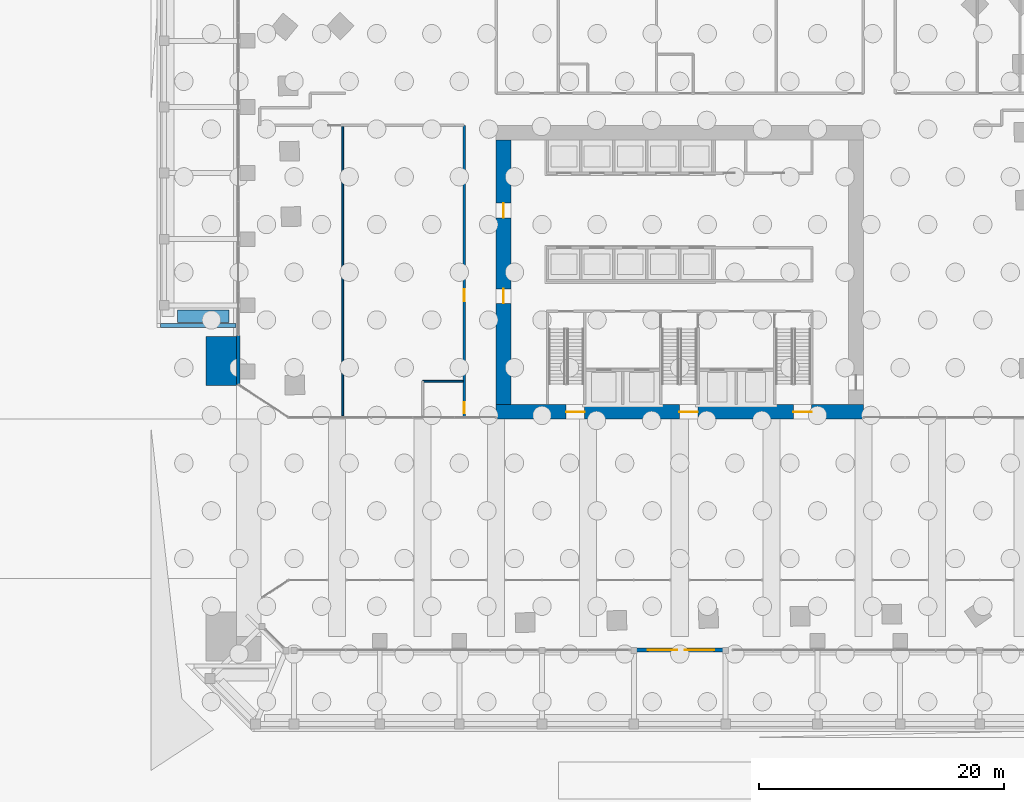
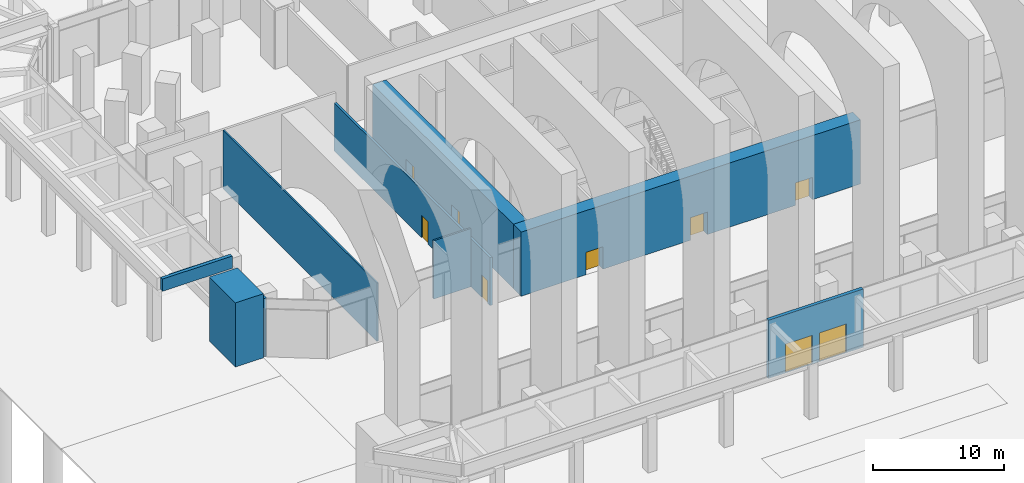
# One storey, part 38 of 46: 10 walls, 9 doors, 9 openings.
"""IFC4 building model written with IfcOpenShell, lengths in metres."""

import ifcopenshell
import ifcopenshell.guid

model = None  # the IFC model being written
_history = None  # IfcOwnerHistory: only IFC2X3 demands one
_inside = {}  # id of a spatial element -> (the spatial element, [elements in it])
_under = {}  # id of a project, library or spatial element -> (it, [spatial elements below it])
_declared = {}  # id of a project -> (the project, [libraries it declares])
_typed = {}  # id of a type object -> (the type object, [elements of that type])
_made_of = {}  # id of a material, layer set ... -> (it, [elements and type objects made of it])


def new_model(schema):
    """Start an empty IFC model of exactly this schema.

    Asked for "IFC4X3", IfcOpenShell would pick the latest addendum, in which some entities
    have other attributes; the version numbers below select the first issue.
    IFC2X3 requires an IfcOwnerHistory on every rooted entity: one is made here for all.
    """
    global model, _history
    if schema == "IFC4X3":
        model = ifcopenshell.file(schema_version=(4, 3, 0, 0))
    else:
        model = ifcopenshell.file(schema=schema)
    _inside.clear()
    _under.clear()
    _declared.clear()
    _typed.clear()
    _made_of.clear()
    _history = None
    if model.schema == "IFC2X3":
        org = make("IfcOrganization", Name="unknown")
        user = make(
            "IfcPersonAndOrganization",
            ThePerson=make("IfcPerson", FamilyName="unknown"),
            TheOrganization=org,
        )
        app = make(
            "IfcApplication",
            ApplicationDeveloper=org,
            Version="unknown",
            ApplicationFullName="unknown",
            ApplicationIdentifier="unknown",
        )
        _history = make(
            "IfcOwnerHistory",
            OwningUser=user,
            OwningApplication=app,
            ChangeAction="ADDED",
            CreationDate=0,
        )
    return model


def make(cls, **values):
    """One entity of the class cls with the attributes given. An attribute that is None is left unset."""
    return model.create_entity(
        cls, **{name: value for name, value in values.items() if value is not None}
    )


def rooted(cls, **values):
    """An entity with a GlobalId (a new one), such as an element, a storey or a relation."""
    return make(cls, GlobalId=ifcopenshell.guid.new(), OwnerHistory=_history, **values)


def si_unit(unit_type, name, prefix=None):
    """IfcSIUnit, for example si_unit("LENGTHUNIT", "METRE", prefix="MILLI")."""
    return make("IfcSIUnit", UnitType=unit_type, Prefix=prefix, Name=name)


def assignment(units):
    """IfcUnitAssignment: the units of a project."""
    return None if units is None else make("IfcUnitAssignment", Units=units)


def point(xyz):
    """IfcCartesianPoint."""
    return None if xyz is None else make("IfcCartesianPoint", Coordinates=xyz)


def direction(xyz):
    """IfcDirection."""
    return None if xyz is None else make("IfcDirection", DirectionRatios=xyz)


def frame(location, z_axis=None, x_axis=None):
    """IfcAxis2Placement3D, a coordinate frame: its origin and axes. An axis left out is left unset."""
    return make(
        "IfcAxis2Placement3D",
        Location=point(location),
        Axis=direction(z_axis),
        RefDirection=direction(x_axis),
    )


def frame_2d(location, x_axis=None):
    """IfcAxis2Placement2D, a coordinate frame in the plane: its origin and x axis."""
    return make(
        "IfcAxis2Placement2D", Location=point(location), RefDirection=direction(x_axis)
    )


def origin():
    """The frame at (0, 0, 0) with its axes left unset."""
    return frame((0.0, 0.0, 0.0))


def place(relative_to, where):
    """IfcLocalPlacement: puts the frame where relative to a parent placement (None: the world)."""
    return make(
        "IfcLocalPlacement", PlacementRelTo=relative_to, RelativePlacement=where
    )


def context(
    kind, dimensions, precision=None, world=None, true_north=None, identifier=None
):
    """IfcGeometricRepresentationContext, for example the 3D "Model" context."""
    return make(
        "IfcGeometricRepresentationContext",
        ContextIdentifier=identifier,
        ContextType=kind,
        CoordinateSpaceDimension=dimensions,
        Precision=precision,
        WorldCoordinateSystem=world,
        TrueNorth=true_north,
    )


def subcontext(parent, identifier, kind, view, scale=None):
    """IfcGeometricRepresentationSubContext, for example "Body" below "Model"."""
    return make(
        "IfcGeometricRepresentationSubContext",
        ContextIdentifier=identifier,
        ContextType=kind,
        ParentContext=parent,
        TargetScale=scale,
        TargetView=view,
    )


def project(units=None, contexts=None):
    """IfcProject with its units and contexts."""
    return rooted(
        "IfcProject",
        Name="project",
        RepresentationContexts=contexts,
        UnitsInContext=assignment(units),
    )


def spatial(cls, under=None, at=None, **own):
    """A site, building, storey or space (cls), placed at a placement, below another one or the project."""
    s = rooted(cls, ObjectPlacement=at, **own)
    if under is not None:
        _under.setdefault(under.id(), (under, []))[1].append(s)
    return s


def profile(cls, at=None, kind="AREA", **sizes):
    """A parametric profile (cls). Its sizes go by their IFC names, for example OverallWidth=200.0."""
    return make(cls, ProfileType=kind, Position=at, **sizes)


def rectangle(**sizes):
    """IfcRectangleProfileDef."""
    return profile("IfcRectangleProfileDef", **sizes)


def extrude(swept, where, along, depth):
    """IfcExtrudedAreaSolid: the profile swept, set in the frame where, extruded along a direction by depth."""
    return make(
        "IfcExtrudedAreaSolid",
        SweptArea=swept,
        Position=where,
        ExtrudedDirection=direction(along),
        Depth=depth,
    )


def shape(context_of_items, identifier, shape_type, items):
    """IfcShapeRepresentation: the items that make up one representation, for example the "Body"."""
    return make(
        "IfcShapeRepresentation",
        ContextOfItems=context_of_items,
        RepresentationIdentifier=identifier,
        RepresentationType=shape_type,
        Items=items,
    )


def material(Name=None, Category=None):
    """IfcMaterial."""
    return make("IfcMaterial", Name=Name, Category=Category)


def layer(
    of_material, thickness, ventilated=None, Name=None, Category=None, Priority=None
):
    """IfcMaterialLayer: one layer of a wall or slab, of a material (None: an air gap)."""
    return make(
        "IfcMaterialLayer",
        Material=of_material,
        LayerThickness=thickness,
        IsVentilated=ventilated,
        Name=Name,
        Category=Category,
        Priority=Priority,
    )


def layer_set(layers, Name=None):
    """IfcMaterialLayerSet."""
    return make("IfcMaterialLayerSet", MaterialLayers=layers, LayerSetName=Name)


def made_of(thing, what):
    """Note that an element or type object is made of a material, layer set ...; save() writes the relation."""
    if what is not None:
        _made_of.setdefault(what.id(), (what, []))[1].append(thing)
    return thing


def type_object(cls, material=None, **own):
    """A type object (cls), such as IfcWallType, which elements share."""
    return made_of(rooted(cls, **own), material)


def element(
    cls,
    number,
    at=None,
    inside=None,
    cuts=None,
    type_object=None,
    material=None,
    context=None,
    identifier="Body",
    shape_type=None,
    held_by="IfcProductDefinitionShape",
    body=None,
    shapes=None,
    **own,
):
    """One element of the class cls, such as IfcWall. Its Tag is "e" and its number.

    at: its placement. inside: the storey or other place that contains it. cuts: it is an
    opening in that element (IfcRelVoidsElement). A single representation is given by context,
    identifier, shape_type and body (its items); several are given by shapes. held_by: the class
    of the entity that holds the representations. save() writes the other relations.
    """
    e = rooted(cls, Tag="e%d" % number, ObjectPlacement=at, **own)
    if body is not None:
        shapes = [shape(context, identifier, shape_type, body)]
    if shapes is not None:
        e.Representation = make(held_by, Representations=shapes)
    if inside is not None:
        _inside.setdefault(inside.id(), (inside, []))[1].append(e)
    if cuts is not None:
        rooted(
            "IfcRelVoidsElement", RelatingBuildingElement=cuts, RelatedOpeningElement=e
        )
    if type_object is not None:
        _typed.setdefault(type_object.id(), (type_object, []))[1].append(e)
    return made_of(e, material)


def fill(opening, filler):
    """IfcRelFillsElement: the door or window that sits in an opening."""
    return rooted(
        "IfcRelFillsElement",
        RelatingOpeningElement=opening,
        RelatedBuildingElement=filler,
    )


def aggregate(whole, parts):
    """IfcRelAggregates: a whole, such as a stair, and the parts it consists of."""
    return rooted("IfcRelAggregates", RelatingObject=whole, RelatedObjects=parts)


def save(model, path):
    """Write the relations noted so far, then the file.

    IfcRelAggregates (storeys below a building ...), IfcRelContainedInSpatialStructure (elements
    in a storey), IfcRelDefinesByType, IfcRelAssociatesMaterial and IfcRelDeclares: one each for
    every whole, place, type object, material and project.
    """
    for whole, parts in _under.values():
        aggregate(whole, parts)
    for where, things in _inside.values():
        rooted(
            "IfcRelContainedInSpatialStructure",
            RelatedElements=things,
            RelatingStructure=where,
        )
    for kind, things in _typed.values():
        rooted("IfcRelDefinesByType", RelatedObjects=things, RelatingType=kind)
    for what, things in _made_of.values():
        rooted("IfcRelAssociatesMaterial", RelatedObjects=things, RelatingMaterial=what)
    for by, libraries in _declared.values():
        rooted("IfcRelDeclares", RelatingContext=by, RelatedDefinitions=libraries)
    model.write(path)


model = new_model("IFC4")

# Units and contexts
model_context = context("Model", 3, precision=1e-05, world=origin(), true_north=direction((0.0, 1.0)))
body_context = subcontext(model_context, "Body", "Model", "MODEL_VIEW")
ifc_project = project(units=[si_unit("LENGTHUNIT", "METRE"), si_unit("AREAUNIT", "SQUARE_METRE"), si_unit("VOLUMEUNIT", "CUBIC_METRE"), si_unit("PLANEANGLEUNIT", "RADIAN"), si_unit("MASSUNIT", "GRAM", prefix="KILO")], contexts=[model_context])

# Site, building, storey
site_placement = place(None, origin())
site = spatial("IfcSite", under=ifc_project, at=site_placement, CompositionType="ELEMENT")
building_placement = place(site_placement, origin())
building = spatial("IfcBuilding", under=site, at=building_placement, Name="Mangrove Gate Tower", CompositionType="ELEMENT")
storey_placement = place(building_placement, origin())
storey = spatial("IfcBuildingStorey", under=building, at=storey_placement, Name="L00", CompositionType="ELEMENT", Elevation=0.0)

# Walls
ifc_material_1 = material(Name="Limestone", Category="masonry")
ifc_layer_1 = layer(ifc_material_1, 0.300048828125, Name="Limestone canopy parapet")
ifc_layer_set_1 = layer_set([ifc_layer_1], Name="Canopy parapet 300 limestone")
wall_type_1 = type_object("IfcWallType", Name="Canopy parapet 300 limestone", PredefinedType="PARAPET", material=ifc_layer_set_1)
wall_1_placement = place(storey_placement, frame((-42.39990234375, -4.35009765625, 5.5), z_axis=(0.0, 0.0, 1.0), x_axis=(1.0, 0.0, 0.0)))
element("IfcWall", 1, at=wall_1_placement, inside=storey, type_object=wall_type_1, Name="Canopy parapet W 1.3", PredefinedType="PARAPET", context=body_context, shape_type="SweptSolid", body=[
    extrude(rectangle(XDim=6.179931640625, YDim=0.300048828125, at=frame_2d((3.08984375, 0.0))), origin(), (0.0, 0.0, 1.0), 1.14990234375),
])
ifc_material_2 = material(Name="Green roof substrate in aluminium tray", Category="aluminium")
ifc_layer_2 = layer(ifc_material_2, 1.0, Name="Planting bed")
ifc_layer_set_2 = layer_set([ifc_layer_2], Name="Canopy planter bed 1000x300")
wall_type_2 = type_object("IfcWallType", Name="Canopy planter bed 1000x300", PredefinedType="SOLIDWALL", material=ifc_layer_set_2)
wall_2_placement = place(storey_placement, frame((-41.0, -3.60009765625, 5.5), z_axis=(0.0, 0.0, 1.0), x_axis=(1.0, 0.0, 0.0)))
element("IfcWall", 2, at=wall_2_placement, inside=storey, type_object=wall_type_2, Name="CANOPY PLANTING W 1.3", PredefinedType="SOLIDWALL", context=body_context, shape_type="SweptSolid", body=[
    extrude(rectangle(XDim=4.179931640625, YDim=1.0, at=frame_2d((2.08984375, 0.0))), origin(), (0.0, 0.0, 1.0), 0.300048828125),
])

# Wall, openings, doors
ifc_material_3 = material(Name="Concrete C70/85", Category="concrete")
ifc_layer_3 = layer(ifc_material_3, 1.199951171875)
ifc_layer_set_3 = layer_set([ifc_layer_3], Name="Core wall 1200 C70/85")
wall_type_3 = type_object("IfcWallType", Name="Core wall 1200 C70/85", PredefinedType="SHEAR", material=ifc_layer_set_3)
wall_3_placement = place(storey_placement, frame((-15.0, -11.39990234375, 0.0), z_axis=(0.0, 0.0, 1.0), x_axis=(1.0, 0.0, 0.0)))
wall_3 = element("IfcWall", 3, at=wall_3_placement, inside=storey, type_object=wall_type_3, Name="WALL-L00-CORE-1", PredefinedType="SHEAR", context=body_context, shape_type="SweptSolid", body=[
    extrude(rectangle(XDim=30.0, YDim=1.199951171875, at=frame_2d((15.0, 0.0))), origin(), (0.0, 0.0, 1.0), 6.0),
])
opening_1_placement = place(wall_3_placement, frame((5.72509765625, 0.0, 0.0)))
opening_1 = element("IfcOpeningElement", 4, at=opening_1_placement, cuts=wall_3, Name="Opening CD15", PredefinedType="OPENING", context=body_context, shape_type="SweptSolid", body=[
    extrude(rectangle(XDim=1.5, YDim=2.10009765625, at=frame_2d((0.75, 1.050048828125))), frame((0.0, 0.60986328125, 0.0), z_axis=(0.0, -1.0, 0.0), x_axis=(1.0, 0.0, 0.0)), (0.0, 0.0, 1.0), 1.219970703125),
])
opening_2_placement = place(wall_3_placement, frame((14.97509765625, 0.0, 0.0)))
opening_2 = element("IfcOpeningElement", 5, at=opening_2_placement, cuts=wall_3, Name="Opening CD15", PredefinedType="OPENING", context=body_context, shape_type="SweptSolid", body=[
    extrude(rectangle(XDim=1.5, YDim=2.10009765625, at=frame_2d((0.75, 1.050048828125))), frame((0.0, 0.60986328125, 0.0), z_axis=(0.0, -1.0, 0.0), x_axis=(1.0, 0.0, 0.0)), (0.0, 0.0, 1.0), 1.219970703125),
])
opening_3_placement = place(wall_3_placement, frame((24.27490234375, 0.0, 0.0)))
opening_3 = element("IfcOpeningElement", 6, at=opening_3_placement, cuts=wall_3, Name="Opening CD15", PredefinedType="OPENING", context=body_context, shape_type="SweptSolid", body=[
    extrude(rectangle(XDim=1.5, YDim=2.10009765625, at=frame_2d((0.75, 1.050048828125))), frame((0.0, 0.60986328125, 0.0), z_axis=(0.0, -1.0, 0.0), x_axis=(1.0, 0.0, 0.0)), (0.0, 0.0, 1.0), 1.219970703125),
])
ifc_material_4 = material(Name="Fire-rated steel door set", Category="steel")
door_type_1 = type_object("IfcDoorType", Name="Core ring door FD60 1500x2100", OperationType="DOUBLE_DOOR_SINGLE_SWING", PredefinedType="DOOR", material=ifc_material_4)
door_1_placement = place(opening_1_placement, origin())
door_1 = element("IfcDoor", 7, at=door_1_placement, inside=storey, type_object=door_type_1, Name="Core ring door S1", OperationType="DOUBLE_DOOR_SINGLE_SWING", OverallHeight=2.10009765625, OverallWidth=1.5, PredefinedType="DOOR", context=body_context, shape_type="SweptSolid", body=[
    extrude(rectangle(XDim=1.5, YDim=2.10009765625, at=frame_2d((0.75, 1.050048828125))), frame((0.0, 0.02490234375, 0.0), z_axis=(0.0, -1.0, 0.0), x_axis=(1.0, 0.0, 0.0)), (0.0, 0.0, 1.0), 0.050048828125),
])
fill(opening_1, door_1)
door_2_placement = place(opening_2_placement, origin())
door_2 = element("IfcDoor", 8, at=door_2_placement, inside=storey, type_object=door_type_1, Name="Core ring door S2", OperationType="DOUBLE_DOOR_SINGLE_SWING", OverallHeight=2.10009765625, OverallWidth=1.5, PredefinedType="DOOR", context=body_context, shape_type="SweptSolid", body=[
    extrude(rectangle(XDim=1.5, YDim=2.10009765625, at=frame_2d((0.75, 1.050048828125))), frame((0.0, 0.02490234375, 0.0), z_axis=(0.0, -1.0, 0.0), x_axis=(1.0, 0.0, 0.0)), (0.0, 0.0, 1.0), 0.050048828125),
])
fill(opening_2, door_2)
door_3_placement = place(opening_3_placement, origin())
door_3 = element("IfcDoor", 9, at=door_3_placement, inside=storey, type_object=door_type_1, Name="Core ring door S3", OperationType="DOUBLE_DOOR_SINGLE_SWING", OverallHeight=2.10009765625, OverallWidth=1.5, PredefinedType="DOOR", context=body_context, shape_type="SweptSolid", body=[
    extrude(rectangle(XDim=1.5, YDim=2.10009765625, at=frame_2d((0.75, 1.050048828125))), frame((0.0, 0.02490234375, 0.0), z_axis=(0.0, -1.0, 0.0), x_axis=(1.0, 0.0, 0.0)), (0.0, 0.0, 1.0), 0.050048828125),
])
fill(opening_3, door_3)

wall_4_placement = place(storey_placement, frame((-14.39990234375, -10.800048828125, 0.0), z_axis=(0.0, 0.0, 1.0), x_axis=(0.0, 1.0, 0.0)))
wall_4 = element("IfcWall", 10, at=wall_4_placement, inside=storey, type_object=wall_type_3, Name="WALL-L00-CORE-3", PredefinedType="SHEAR", context=body_context, shape_type="SweptSolid", body=[
    extrude(rectangle(XDim=21.60009765625, YDim=1.199951171875, at=frame_2d((10.800048828125, 0.0))), origin(), (0.0, 0.0, 1.0), 6.0),
])
opening_4_placement = place(wall_4_placement, frame((8.25, 0.0, 0.0)))
opening_4 = element("IfcOpeningElement", 11, at=opening_4_placement, cuts=wall_4, Name="Opening CD", PredefinedType="OPENING", context=body_context, shape_type="SweptSolid", body=[
    extrude(rectangle(XDim=1.199951171875, YDim=2.10009765625, at=frame_2d((0.60009765625, 1.050048828125))), frame((0.0, 0.60986328125, 0.0), z_axis=(0.0, -1.0, 0.0), x_axis=(1.0, 0.0, 0.0)), (0.0, 0.0, 1.0), 1.219970703125),
])
opening_5_placement = place(wall_4_placement, frame((15.25, 0.0, 0.0)))
opening_5 = element("IfcOpeningElement", 12, at=opening_5_placement, cuts=wall_4, Name="Opening CD", PredefinedType="OPENING", context=body_context, shape_type="SweptSolid", body=[
    extrude(rectangle(XDim=1.199951171875, YDim=2.10009765625, at=frame_2d((0.60009765625, 1.050048828125))), frame((0.0, 0.60986328125, 0.0), z_axis=(0.0, -1.0, 0.0), x_axis=(1.0, 0.0, 0.0)), (0.0, 0.0, 1.0), 1.219970703125),
])
ifc_material_5 = material(Name="Fire-rated steel door set", Category="steel")
door_type_2 = type_object("IfcDoorType", Name="Core ring door FD60 1200x2100", OperationType="DOUBLE_DOOR_SINGLE_SWING", PredefinedType="DOOR", material=ifc_material_5)
door_4_placement = place(opening_4_placement, origin())
door_4 = element("IfcDoor", 13, at=door_4_placement, inside=storey, type_object=door_type_2, Name="Core ring door W1", OperationType="DOUBLE_DOOR_SINGLE_SWING", OverallHeight=2.10009765625, OverallWidth=1.199951171875, PredefinedType="DOOR", context=body_context, shape_type="SweptSolid", body=[
    extrude(rectangle(XDim=1.199951171875, YDim=2.10009765625, at=frame_2d((0.60009765625, 1.050048828125))), frame((0.0, 0.02490234375, 0.0), z_axis=(0.0, -1.0, 0.0), x_axis=(1.0, 0.0, 0.0)), (0.0, 0.0, 1.0), 0.050048828125),
])
fill(opening_4, door_4)
door_5_placement = place(opening_5_placement, origin())
door_5 = element("IfcDoor", 14, at=door_5_placement, inside=storey, type_object=door_type_2, Name="Core ring door W2", OperationType="DOUBLE_DOOR_SINGLE_SWING", OverallHeight=2.10009765625, OverallWidth=1.199951171875, PredefinedType="DOOR", context=body_context, shape_type="SweptSolid", body=[
    extrude(rectangle(XDim=1.199951171875, YDim=2.10009765625, at=frame_2d((0.60009765625, 1.050048828125))), frame((0.0, 0.02490234375, 0.0), z_axis=(0.0, -1.0, 0.0), x_axis=(1.0, 0.0, 0.0)), (0.0, 0.0, 1.0), 0.050048828125),
])
fill(opening_5, door_5)

ifc_material_6 = material(Name="Gypsum board on steel stud, EI 60", Category="steel")
ifc_layer_4 = layer(ifc_material_6, 0.199951171875)
ifc_layer_set_4 = layer_set([ifc_layer_4], Name="Corridor wall EI 60")
wall_type_4 = type_object("IfcWallType", Name="Corridor wall EI 60", PredefinedType="PARTITIONING", material=ifc_layer_set_4)
wall_5_placement = place(storey_placement, frame((-17.60009765625, -11.89990234375, 0.0), z_axis=(0.0, 0.0, 1.0), x_axis=(0.0, 1.0, 0.0)))
wall_5 = element("IfcWall", 15, at=wall_5_placement, inside=storey, type_object=wall_type_4, Name="WALL-L00-003", PredefinedType="PARTITIONING", context=body_context, shape_type="SweptSolid", body=[
    extrude(rectangle(XDim=23.89990234375, YDim=0.199951171875, at=frame_2d((11.949951171875, 0.0))), origin(), (0.0, 0.0, 1.0), 4.489990234375),
])
opening_6_placement = place(wall_5_placement, frame((9.51806640625, 0.0, 0.0)))
opening_6 = element("IfcOpeningElement", 16, at=opening_6_placement, cuts=wall_5, Name="Opening AD", PredefinedType="OPENING", context=body_context, shape_type="SweptSolid", body=[
    extrude(rectangle(XDim=1.0, YDim=2.10009765625, at=frame_2d((0.5, 1.050048828125))), frame((0.0, 0.10986328125, 0.0), z_axis=(0.0, -1.0, 0.0), x_axis=(1.0, 0.0, 0.0)), (0.0, 0.0, 1.0), 0.219970703125),
])
opening_7_placement = place(wall_5_placement, frame((0.39990234375, 0.0, 0.0)))
opening_7 = element("IfcOpeningElement", 17, at=opening_7_placement, cuts=wall_5, Name="Opening SD", PredefinedType="OPENING", context=body_context, shape_type="SweptSolid", body=[
    extrude(rectangle(XDim=0.89990234375, YDim=2.10009765625, at=frame_2d((0.449951171875, 1.050048828125))), frame((0.0, 0.10986328125, 0.0), z_axis=(0.0, -1.0, 0.0), x_axis=(1.0, 0.0, 0.0)), (0.0, 0.0, 1.0), 0.219970703125),
])
ifc_material_7 = material(Name="Timber door leaf", Category="wood")
door_type_3 = type_object("IfcDoorType", Name="Amenity door 1000", OperationType="SINGLE_SWING_LEFT", PredefinedType="DOOR", material=ifc_material_7)
door_6_placement = place(opening_6_placement, origin())
door_6 = element("IfcDoor", 18, at=door_6_placement, inside=storey, type_object=door_type_3, Name="DOOR-L00-POD-01", OperationType="SINGLE_SWING_LEFT", OverallHeight=2.10009765625, OverallWidth=1.0, PredefinedType="DOOR", context=body_context, shape_type="SweptSolid", body=[
    extrude(rectangle(XDim=1.0, YDim=2.10009765625, at=frame_2d((0.5, 1.050048828125))), frame((0.0, 0.02490234375, 0.0), z_axis=(0.0, -1.0, 0.0), x_axis=(1.0, 0.0, 0.0)), (0.0, 0.0, 1.0), 0.050048828125),
])
fill(opening_6, door_6)
ifc_material_8 = material(Name="Timber door leaf", Category="wood")
door_type_4 = type_object("IfcDoorType", Name="Service room door 900", OperationType="SINGLE_SWING_LEFT", PredefinedType="DOOR", material=ifc_material_8)
door_7_placement = place(opening_7_placement, origin())
door_7 = element("IfcDoor", 19, at=door_7_placement, inside=storey, type_object=door_type_4, Name="DOOR-L00-PSV-01", OperationType="SINGLE_SWING_LEFT", OverallHeight=2.10009765625, OverallWidth=0.89990234375, PredefinedType="DOOR", context=body_context, shape_type="SweptSolid", body=[
    extrude(rectangle(XDim=0.89990234375, YDim=2.10009765625, at=frame_2d((0.449951171875, 1.050048828125))), frame((0.0, 0.02490234375, 0.0), z_axis=(0.0, -1.0, 0.0), x_axis=(1.0, 0.0, 0.0)), (0.0, 0.0, 1.0), 0.050048828125),
])
fill(opening_7, door_7)

ifc_layer_5 = layer(ifc_material_1, 0.0400390625, Name="Limestone cladding")
ifc_material_9 = material(Name="Ventilated air gap")
ifc_layer_6 = layer(ifc_material_9, 0.0400390625, Name="Ventilated cavity")
ifc_material_10 = material(Name="Mineral wool insulation")
ifc_layer_7 = layer(ifc_material_10, 0.06005859375, Name="Insulation")
ifc_material_11 = material(Name="Breather membrane")
ifc_layer_8 = layer(ifc_material_11, 0.001953125, Name="Breather membrane")
ifc_material_12 = material(Name="Concrete C20/25 blockwork", Category="masonry")
ifc_layer_9 = layer(ifc_material_12, 0.14990234375, Name="Blockwork backing wall")
ifc_material_13 = material(Name="Gypsum plaster")
ifc_layer_10 = layer(ifc_material_13, 0.008056640625, Name="Internal plaster")
ifc_layer_set_5 = layer_set([ifc_layer_5, ifc_layer_6, ifc_layer_7, ifc_layer_8, ifc_layer_9, ifc_layer_10], Name="External wall 300 limestone cladding")
wall_type_5 = type_object("IfcWallType", Name="External wall 300 limestone cladding", PredefinedType="SOLIDWALL", material=ifc_layer_set_5)
wall_6_placement = place(storey_placement, frame((-4.10009765625, -30.85009765625, 0.0), z_axis=(0.0, 0.0, 1.0), x_axis=(1.0, 0.0, 0.0)))
wall_6 = element("IfcWall", 20, at=wall_6_placement, inside=storey, type_object=wall_type_5, Name="WALL-L00-S4e", PredefinedType="SOLIDWALL", context=body_context, shape_type="SweptSolid", body=[
    extrude(rectangle(XDim=8.400146484375, YDim=0.300048828125, at=frame_2d((4.2001953125, 0.0))), origin(), (0.0, 0.0, 1.0), 5.449951171875),
])
opening_8_placement = place(wall_6_placement, frame((1.5, 0.0, 0.0)))
opening_8 = element("IfcOpeningElement", 21, at=opening_8_placement, cuts=wall_6, Name="Opening ED1", PredefinedType="OPENING", context=body_context, shape_type="SweptSolid", body=[
    extrude(rectangle(XDim=2.39990234375, YDim=2.699951171875, at=frame_2d((1.199951171875, 1.35009765625))), frame((0.0, 0.159912109375, 0.0), z_axis=(0.0, -1.0, 0.0), x_axis=(1.0, 0.0, 0.0)), (0.0, 0.0, 1.0), 0.320068359375),
])
opening_9_placement = place(wall_6_placement, frame((4.5, 0.0, 0.0)))
opening_9 = element("IfcOpeningElement", 22, at=opening_9_placement, cuts=wall_6, Name="Opening ED1", PredefinedType="OPENING", context=body_context, shape_type="SweptSolid", body=[
    extrude(rectangle(XDim=2.39990234375, YDim=2.699951171875, at=frame_2d((1.199951171875, 1.35009765625))), frame((0.0, 0.159912109375, 0.0), z_axis=(0.0, -1.0, 0.0), x_axis=(1.0, 0.0, 0.0)), (0.0, 0.0, 1.0), 0.320068359375),
])
ifc_material_14 = material(Name="Aluminium frame with toughened clear glass", Category="aluminium")
door_type_5 = type_object("IfcDoorType", Name="Entrance door 2400x2700", OperationType="DOUBLE_DOOR_DOUBLE_SWING", PredefinedType="DOOR", material=ifc_material_14)
door_8_placement = place(opening_8_placement, origin())
door_8 = element("IfcDoor", 23, at=door_8_placement, inside=storey, type_object=door_type_5, Name="DOOR-L00-S4-1", OperationType="DOUBLE_DOOR_DOUBLE_SWING", OverallHeight=2.699951171875, OverallWidth=2.39990234375, PredefinedType="DOOR", context=body_context, shape_type="SweptSolid", body=[
    extrude(rectangle(XDim=2.39990234375, YDim=2.699951171875, at=frame_2d((1.199951171875, 1.35009765625))), frame((0.0, 0.02490234375, 0.0), z_axis=(0.0, -1.0, 0.0), x_axis=(1.0, 0.0, 0.0)), (0.0, 0.0, 1.0), 0.050048828125),
])
fill(opening_8, door_8)
door_9_placement = place(opening_9_placement, origin())
door_9 = element("IfcDoor", 24, at=door_9_placement, inside=storey, type_object=door_type_5, Name="DOOR-L00-S4-2", OperationType="DOUBLE_DOOR_DOUBLE_SWING", OverallHeight=2.699951171875, OverallWidth=2.39990234375, PredefinedType="DOOR", context=body_context, shape_type="SweptSolid", body=[
    extrude(rectangle(XDim=2.39990234375, YDim=2.699951171875, at=frame_2d((1.199951171875, 1.35009765625))), frame((0.0, 0.02490234375, 0.0), z_axis=(0.0, -1.0, 0.0), x_axis=(1.0, 0.0, 0.0)), (0.0, 0.0, 1.0), 0.050048828125),
])
fill(opening_9, door_9)

# Walls
wall_7_placement = place(storey_placement, frame((-36.050048828125, -5.18505859375, 0.0), z_axis=(0.0, 0.0, 1.0), x_axis=(0.0, -1.0, 0.0)))
element("IfcWall", 25, at=wall_7_placement, inside=storey, type_object=wall_type_5, Name="WALL-L00-W3140", PredefinedType="SOLIDWALL", context=body_context, shape_type="SweptSolid", body=[
    extrude(rectangle(XDim=3.98388671875, YDim=0.300048828125, at=frame_2d((1.991943359375, 0.0))), origin(), (0.0, 0.0, 1.0), 5.449951171875),
])
ifc_material_15 = material(Name="Gypsum board on steel stud, EI 60", Category="steel")
ifc_layer_11 = layer(ifc_material_15, 0.14990234375)
ifc_layer_set_6 = layer_set([ifc_layer_11], Name="Party wall 150 EI 60")
wall_type_6 = type_object("IfcWallType", Name="Party wall 150 EI 60", PredefinedType="PARTITIONING", material=ifc_layer_set_6)
wall_8_placement = place(storey_placement, frame((-27.52001953125, -11.699951171875, 0.0), z_axis=(0.0, 0.0, 1.0), x_axis=(0.0, 1.0, 0.0)))
element("IfcWall", 26, at=wall_8_placement, inside=storey, type_object=wall_type_6, Name="WALL-L00-001", PredefinedType="PARTITIONING", context=body_context, shape_type="SweptSolid", body=[
    extrude(rectangle(XDim=23.599853515625, YDim=0.14990234375, at=frame_2d((11.7998046875, 0.0))), origin(), (0.0, 0.0, 1.0), 5.449951171875),
])
wall_9_placement = place(storey_placement, frame((-21.0, -8.89990234375, 0.0), z_axis=(0.0, 0.0, 1.0), x_axis=(1.0, 0.0, 0.0)))
element("IfcWall", 27, at=wall_9_placement, inside=storey, type_object=wall_type_6, Name="WALL-L00-004", PredefinedType="PARTITIONING", context=body_context, shape_type="SweptSolid", body=[
    extrude(rectangle(XDim=3.300048828125, YDim=0.14990234375, at=frame_2d((1.64990234375, 0.0))), origin(), (0.0, 0.0, 1.0), 5.449951171875),
])
ifc_layer_12 = layer(ifc_material_1, 0.06005859375, Name="Limestone cladding")
ifc_material_16 = material(Name="Concrete C40/50", Category="concrete")
ifc_layer_13 = layer(ifc_material_16, 2.340087890625, Name="Gate core wall")
ifc_layer_14 = layer(ifc_material_1, 0.10009765625, Name="Limestone reveal lining")
ifc_layer_set_7 = layer_set([ifc_layer_12, ifc_layer_13, ifc_layer_14], Name="Stone gate wall 2500")
wall_type_7 = type_object("IfcWallType", Name="Stone gate wall 2500", PredefinedType="STANDARD", material=ifc_layer_set_7)
wall_10_placement = place(storey_placement, frame((-37.449951171875, -9.25, 0.0), z_axis=(0.0, 0.0, 1.0), x_axis=(0.0, 1.0, 0.0)))
element("IfcWall", 28, at=wall_10_placement, inside=storey, type_object=wall_type_7, Name="ARCH PIER W 2", PredefinedType="STANDARD", context=body_context, shape_type="SweptSolid", body=[
    extrude(rectangle(XDim=4.0, YDim=2.5, at=frame_2d((2.0, 0.0))), origin(), (0.0, 0.0, 1.0), 6.0),
])

save(model, "model.ifc")
